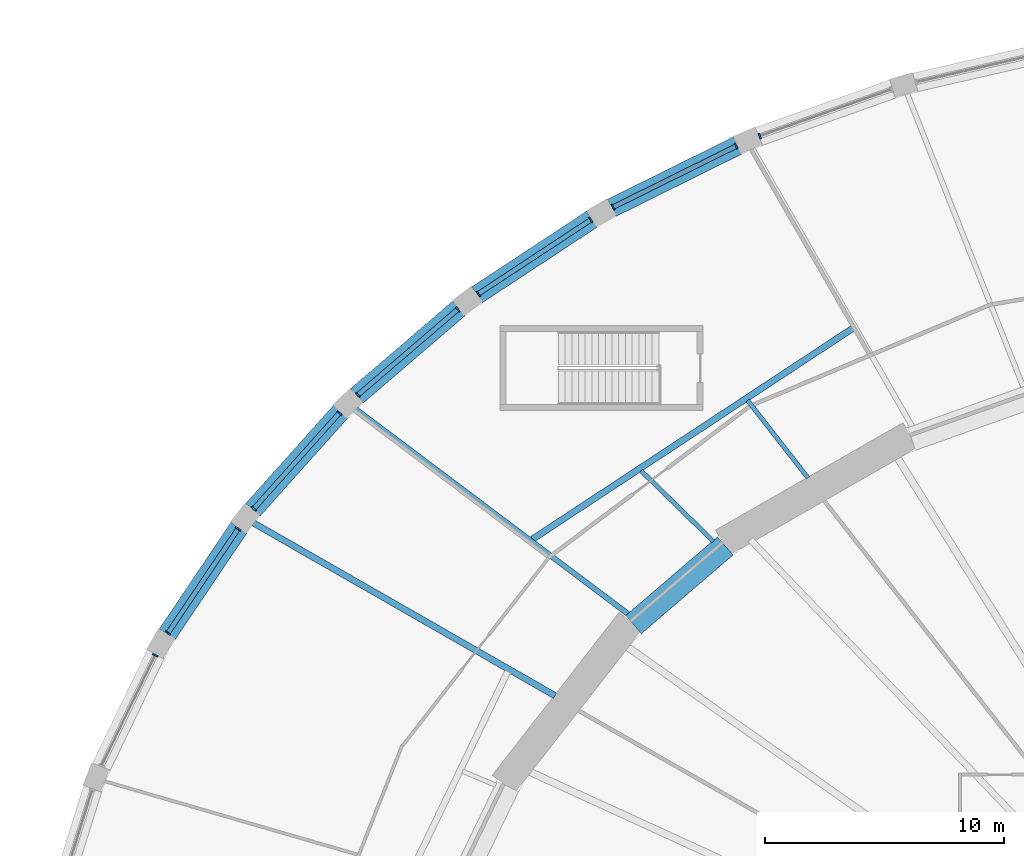
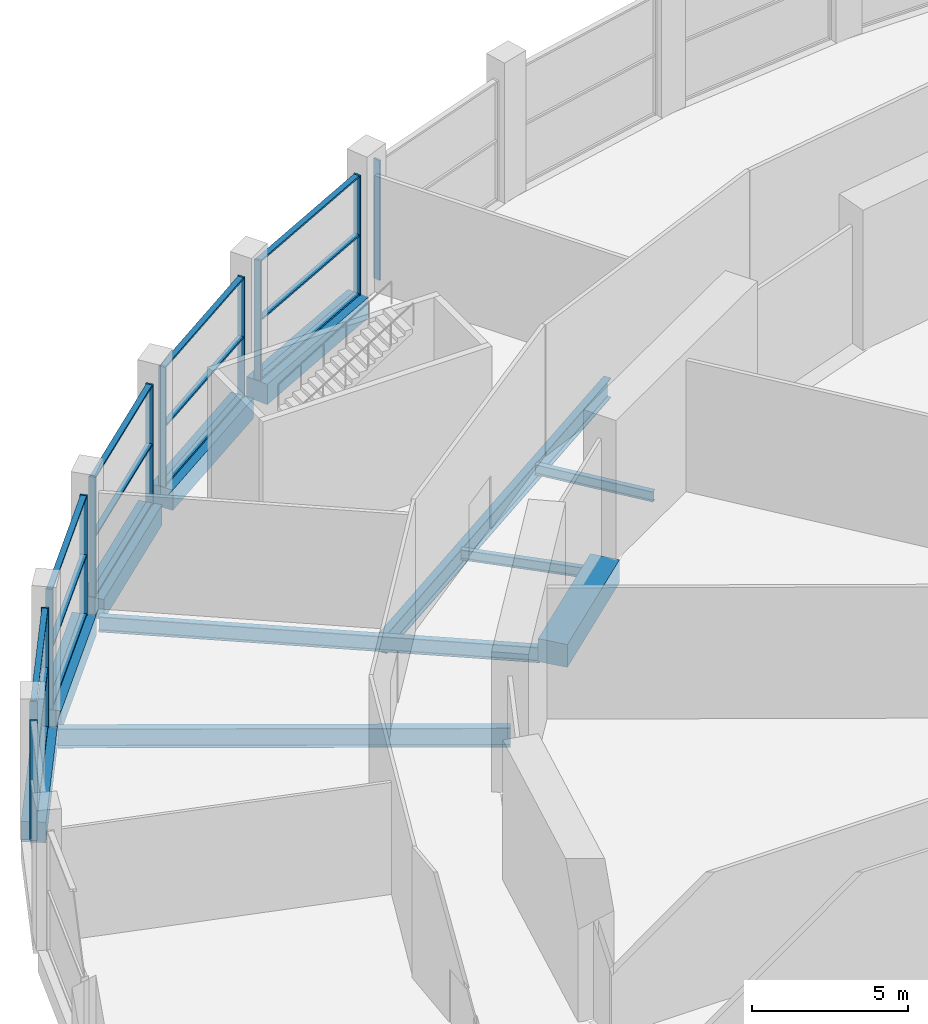
# One storey, part 13 of 29: 27 members, 11 beams, 7 elements without a shape of their own.
"""IFC4 building model written with IfcOpenShell, lengths in metres."""

from ifc_helpers import new_model, si_unit, direction, frame, origin, origin_2d, place, context, subcontext, project, spatial, rectangle, i_section, extrude, material, material_profile, profile_set, type_object, element, aggregate, save


model = new_model("IFC4")

# Units and contexts
model_context = context("Model", 3, precision=1e-05, world=origin(), true_north=direction((0.0, 1.0)))
body_context = subcontext(model_context, "Body", "Model", "MODEL_VIEW")
ifc_project = project(units=[si_unit("LENGTHUNIT", "METRE"), si_unit("AREAUNIT", "SQUARE_METRE"), si_unit("VOLUMEUNIT", "CUBIC_METRE"), si_unit("PLANEANGLEUNIT", "RADIAN"), si_unit("MASSUNIT", "GRAM", prefix="KILO")], contexts=[model_context])

# Site, building, storey
site_placement = place(None, origin())
site = spatial("IfcSite", under=ifc_project, at=site_placement, CompositionType="ELEMENT")
building_placement = place(site_placement, origin())
building = spatial("IfcBuilding", under=site, at=building_placement, Name="Halqa Exchange Tower", CompositionType="ELEMENT")
storey_placement = place(building_placement, frame((0.0, 0.0, 7.0)))
storey = spatial("IfcBuildingStorey", under=building, at=storey_placement, Name="L01", CompositionType="ELEMENT", Elevation=7.0)

# Curtain wall, member
ifc_material_1 = material(Name="Anodised aluminium and clear glass", Category="aluminium")
curtain_wall_type = type_object("IfcCurtainWallType", Name="Exchange hall glazing", PredefinedType="NOTDEFINED", material=ifc_material_1)
curtain_wall_1_placement = place(storey_placement, origin())
curtain_wall_1 = element("IfcCurtainWall", 1, at=curtain_wall_1_placement, inside=storey, type_object=curtain_wall_type, Name="Exchange hall glazing run P15", PredefinedType="NOTDEFINED")
ifc_material_2 = material(Name="Anodised aluminium", Category="aluminium")
ifc_material_profile_1 = material_profile(ifc_material_2, rectangle(XDim=0.25, YDim=0.070068359375, at=origin_2d()), Name="AL 70x250")
ifc_profile_set_1 = profile_set([ifc_material_profile_1], Name="Anodised aluminium")
member_type_1 = type_object("IfcMemberType", Name="Exchange hall glazing mullion 70 x 250", PredefinedType="MULLION", material=ifc_profile_set_1)
member_1_placement = place(storey_placement, frame((-23.37939453125, 41.7041015625, 0.0), z_axis=(0.0, 0.0, 1.0), x_axis=(0.334688348326, -0.942328875444, 0.0)))
member_1 = element("IfcMember", 2, at=member_1_placement, type_object=member_type_1, Name="P15 mullion 2", PredefinedType="MULLION", context=body_context, shape_type="SweptSolid", body=[
    extrude(rectangle(XDim=0.25, YDim=0.070068359375, at=origin_2d()), origin(), (0.0, 0.0, 1.0), 4.699951171875),
])
aggregate(curtain_wall_1, [member_1])

# Curtain wall, members
curtain_wall_2_placement = place(storey_placement, origin())
curtain_wall_2 = element("IfcCurtainWall", 3, at=curtain_wall_2_placement, inside=storey, type_object=curtain_wall_type, Name="Exchange hall glazing run P16", PredefinedType="NOTDEFINED")
member_2_placement = place(storey_placement, frame((-24.363037109375, 41.287841796875, 0.0), z_axis=(0.0, 0.0, 1.0), x_axis=(0.443653417058, -0.896198440934, 0.0)))
member_2 = element("IfcMember", 4, at=member_2_placement, type_object=member_type_1, Name="P16 mullion 1", PredefinedType="MULLION", context=body_context, shape_type="SweptSolid", body=[
    extrude(rectangle(XDim=0.25, YDim=0.070068359375, at=origin_2d()), origin(), (0.0, 0.0, 1.0), 4.699951171875),
])
member_3_placement = place(storey_placement, frame((-29.521240234375, 38.734375, 0.0), z_axis=(0.0, 0.0, 1.0), x_axis=(0.443653417058, -0.896198440934, 0.0)))
member_3 = element("IfcMember", 5, at=member_3_placement, type_object=member_type_1, Name="P16 mullion 2", PredefinedType="MULLION", context=body_context, shape_type="SweptSolid", body=[
    extrude(rectangle(XDim=0.25, YDim=0.070068359375, at=origin_2d()), origin(), (0.0, 0.0, 1.0), 4.699951171875),
])

curtain_wall_3_placement = place(storey_placement, origin())
curtain_wall_3 = element("IfcCurtainWall", 6, at=curtain_wall_3_placement, inside=storey, type_object=curtain_wall_type, Name="Exchange hall glazing run P17", PredefinedType="NOTDEFINED")
member_4_placement = place(storey_placement, frame((-30.44775390625, 38.202880859375, 0.0), z_axis=(0.0, 0.0, 1.0), x_axis=(0.549620040919, -0.835414753652, 0.0)))
member_4 = element("IfcMember", 7, at=member_4_placement, type_object=member_type_1, Name="P17 mullion 1", PredefinedType="MULLION", context=body_context, shape_type="SweptSolid", body=[
    extrude(rectangle(XDim=0.25, YDim=0.070068359375, at=origin_2d()), origin(), (0.0, 0.0, 1.0), 4.699951171875),
])
member_5_placement = place(storey_placement, frame((-35.15771484375, 35.104248046875, 0.0), z_axis=(0.0, 0.0, 1.0), x_axis=(0.549620040919, -0.835414753652, 0.0)))
member_5 = element("IfcMember", 8, at=member_5_placement, type_object=member_type_1, Name="P17 mullion 2", PredefinedType="MULLION", context=body_context, shape_type="SweptSolid", body=[
    extrude(rectangle(XDim=0.25, YDim=0.070068359375, at=origin_2d()), origin(), (0.0, 0.0, 1.0), 4.699951171875),
])

curtain_wall_4_placement = place(storey_placement, origin())
curtain_wall_4 = element("IfcCurtainWall", 9, at=curtain_wall_4_placement, inside=storey, type_object=curtain_wall_type, Name="Exchange hall glazing run P18", PredefinedType="NOTDEFINED")
member_6_placement = place(storey_placement, frame((-36.010986328125, 34.4619140625, 0.0), z_axis=(0.0, 0.0, 1.0), x_axis=(0.650910929175, -0.759154109704, 0.0)))
member_6 = element("IfcMember", 10, at=member_6_placement, type_object=member_type_1, Name="P18 mullion 1", PredefinedType="MULLION", context=body_context, shape_type="SweptSolid", body=[
    extrude(rectangle(XDim=0.25, YDim=0.070068359375, at=origin_2d()), origin(), (0.0, 0.0, 1.0), 4.699951171875),
])
member_7_placement = place(storey_placement, frame((-40.193115234375, 30.8759765625, 0.0), z_axis=(0.0, 0.0, 1.0), x_axis=(0.650910929175, -0.759154109704, 0.0)))
member_7 = element("IfcMember", 11, at=member_7_placement, type_object=member_type_1, Name="P18 mullion 2", PredefinedType="MULLION", context=body_context, shape_type="SweptSolid", body=[
    extrude(rectangle(XDim=0.25, YDim=0.070068359375, at=origin_2d()), origin(), (0.0, 0.0, 1.0), 4.699951171875),
])

curtain_wall_5_placement = place(storey_placement, origin())
curtain_wall_5 = element("IfcCurtainWall", 12, at=curtain_wall_5_placement, inside=storey, type_object=curtain_wall_type, Name="Exchange hall glazing run P19", PredefinedType="NOTDEFINED")
member_8_placement = place(storey_placement, frame((-40.9560546875, 30.12890625, 0.0), z_axis=(0.0, 0.0, 1.0), x_axis=(0.74514769466, -0.666899477539, 0.0)))
member_8 = element("IfcMember", 13, at=member_8_placement, type_object=member_type_1, Name="P19 mullion 1", PredefinedType="MULLION", context=body_context, shape_type="SweptSolid", body=[
    extrude(rectangle(XDim=0.25, YDim=0.070068359375, at=origin_2d()), origin(), (0.0, 0.0, 1.0), 4.699951171875),
])
member_9_placement = place(storey_placement, frame((-44.542724609375, 26.12158203125, 0.0), z_axis=(0.0, 0.0, 1.0), x_axis=(0.74514769466, -0.666899477539, 0.0)))
member_9 = element("IfcMember", 14, at=member_9_placement, type_object=member_type_1, Name="P19 mullion 2", PredefinedType="MULLION", context=body_context, shape_type="SweptSolid", body=[
    extrude(rectangle(XDim=0.25, YDim=0.070068359375, at=origin_2d()), origin(), (0.0, 0.0, 1.0), 4.699951171875),
])

curtain_wall_6_placement = place(storey_placement, origin())
curtain_wall_6 = element("IfcCurtainWall", 15, at=curtain_wall_6_placement, inside=storey, type_object=curtain_wall_type, Name="Exchange hall glazing run P20", PredefinedType="NOTDEFINED")
member_10_placement = place(storey_placement, frame((-45.1982421875, 25.279052734375, 0.0), z_axis=(0.0, 0.0, 1.0), x_axis=(0.8294895023, -0.55852230535, 0.0)))
member_10 = element("IfcMember", 16, at=member_10_placement, type_object=member_type_1, Name="P20 mullion 1", PredefinedType="MULLION", context=body_context, shape_type="SweptSolid", body=[
    extrude(rectangle(XDim=0.25, YDim=0.070068359375, at=origin_2d()), origin(), (0.0, 0.0, 1.0), 4.699951171875),
])
member_11_placement = place(storey_placement, frame((-48.13232421875, 20.921630859375, 0.0), z_axis=(0.0, 0.0, 1.0), x_axis=(0.8294895023, -0.55852230535, 0.0)))
member_11 = element("IfcMember", 17, at=member_11_placement, type_object=member_type_1, Name="P20 mullion 2", PredefinedType="MULLION", context=body_context, shape_type="SweptSolid", body=[
    extrude(rectangle(XDim=0.25, YDim=0.070068359375, at=origin_2d()), origin(), (0.0, 0.0, 1.0), 4.699951171875),
])

# Curtain wall, member
curtain_wall_7_placement = place(storey_placement, origin())
curtain_wall_7 = element("IfcCurtainWall", 18, at=curtain_wall_7_placement, inside=storey, type_object=curtain_wall_type, Name="Exchange hall glazing run P21", PredefinedType="NOTDEFINED")
member_12_placement = place(storey_placement, frame((-48.663818359375, 19.996337890625, 0.0), z_axis=(0.0, 0.0, 1.0), x_axis=(0.90043534892, -0.434989864727, 0.0)))
member_12 = element("IfcMember", 19, at=member_12_placement, type_object=member_type_1, Name="P21 mullion 1", PredefinedType="MULLION", context=body_context, shape_type="SweptSolid", body=[
    extrude(rectangle(XDim=0.25, YDim=0.070068359375, at=origin_2d()), origin(), (0.0, 0.0, 1.0), 4.699951171875),
])
aggregate(curtain_wall_7, [member_12])

# Member
ifc_material_profile_2 = material_profile(ifc_material_2, rectangle(XDim=0.199951171875, YDim=0.070068359375, at=origin_2d()), Name="AL 70x200")
ifc_profile_set_2 = profile_set([ifc_material_profile_2], Name="Anodised aluminium")
member_type_2 = type_object("IfcMemberType", Name="Exchange hall glazing transom 70 x 200", PredefinedType="USERDEFINED", material=ifc_profile_set_2)
member_13_placement = place(storey_placement, frame((-24.39453125, 41.2724609375, 0.034912109375), z_axis=(-0.89618076134, -0.443689128788, 0.0), x_axis=(0.443689128788, -0.89618076134, 0.0)))
member_13 = element("IfcMember", 20, at=member_13_placement, type_object=member_type_2, Name="P16 transom 1.1", ObjectType="TRANSOM", PredefinedType="USERDEFINED", context=body_context, shape_type="SweptSolid", body=[
    extrude(rectangle(XDim=0.199951171875, YDim=0.070068359375, at=origin_2d()), origin(), (0.0, 0.0, 1.0), 5.685791015625),
])

member_14_placement = place(storey_placement, frame((-24.39453125, 41.2724609375, 2.35009765625), z_axis=(-0.89618076134, -0.443689128788, 0.0), x_axis=(0.443689128788, -0.89618076134, 0.0)))
member_14 = element("IfcMember", 21, at=member_14_placement, type_object=member_type_2, Name="P16 transom 1.2", ObjectType="TRANSOM", PredefinedType="USERDEFINED", context=body_context, shape_type="SweptSolid", body=[
    extrude(rectangle(XDim=0.199951171875, YDim=0.070068359375, at=origin_2d()), origin(), (0.0, 0.0, 1.0), 5.685791015625),
])

member_15_placement = place(storey_placement, frame((-24.39453125, 41.2724609375, 4.6650390625), z_axis=(-0.89618076134, -0.443689128788, 0.0), x_axis=(0.443689128788, -0.89618076134, 0.0)))
member_15 = element("IfcMember", 22, at=member_15_placement, type_object=member_type_2, Name="P16 transom 1.3", ObjectType="TRANSOM", PredefinedType="USERDEFINED", context=body_context, shape_type="SweptSolid", body=[
    extrude(rectangle(XDim=0.199951171875, YDim=0.070068359375, at=origin_2d()), origin(), (0.0, 0.0, 1.0), 5.685791015625),
])

aggregate(curtain_wall_2, [member_2, member_3, member_13, member_14, member_15])

member_16_placement = place(storey_placement, frame((-30.47705078125, 38.183837890625, 0.034912109375), z_axis=(-0.835401187087, -0.549640661355, 0.0), x_axis=(0.549640661355, -0.835401187087, 0.0)))
member_16 = element("IfcMember", 23, at=member_16_placement, type_object=member_type_2, Name="P17 transom 1.1", ObjectType="TRANSOM", PredefinedType="USERDEFINED", context=body_context, shape_type="SweptSolid", body=[
    extrude(rectangle(XDim=0.199951171875, YDim=0.070068359375, at=origin_2d()), origin(), (0.0, 0.0, 1.0), 5.56787109375),
])

member_17_placement = place(storey_placement, frame((-30.47705078125, 38.183837890625, 2.35009765625), z_axis=(-0.835401187087, -0.549640661355, 0.0), x_axis=(0.549640661355, -0.835401187087, 0.0)))
member_17 = element("IfcMember", 24, at=member_17_placement, type_object=member_type_2, Name="P17 transom 1.2", ObjectType="TRANSOM", PredefinedType="USERDEFINED", context=body_context, shape_type="SweptSolid", body=[
    extrude(rectangle(XDim=0.199951171875, YDim=0.070068359375, at=origin_2d()), origin(), (0.0, 0.0, 1.0), 5.56787109375),
])

member_18_placement = place(storey_placement, frame((-30.47705078125, 38.183837890625, 4.6650390625), z_axis=(-0.835401187087, -0.549640661355, 0.0), x_axis=(0.549640661355, -0.835401187087, 0.0)))
member_18 = element("IfcMember", 25, at=member_18_placement, type_object=member_type_2, Name="P17 transom 1.3", ObjectType="TRANSOM", PredefinedType="USERDEFINED", context=body_context, shape_type="SweptSolid", body=[
    extrude(rectangle(XDim=0.199951171875, YDim=0.070068359375, at=origin_2d()), origin(), (0.0, 0.0, 1.0), 5.56787109375),
])

aggregate(curtain_wall_3, [member_4, member_5, member_16, member_17, member_18])

member_19_placement = place(storey_placement, frame((-36.037353515625, 34.439208984375, 0.034912109375), z_axis=(-0.759142529619, -0.650924434727, 0.0), x_axis=(0.650924434727, -0.759142529619, 0.0)))
member_19 = element("IfcMember", 26, at=member_19_placement, type_object=member_type_2, Name="P18 transom 1.1", ObjectType="TRANSOM", PredefinedType="USERDEFINED", context=body_context, shape_type="SweptSolid", body=[
    extrude(rectangle(XDim=0.199951171875, YDim=0.070068359375, at=origin_2d()), origin(), (0.0, 0.0, 1.0), 5.439208984375),
])

member_20_placement = place(storey_placement, frame((-36.037353515625, 34.439208984375, 2.35009765625), z_axis=(-0.759142529619, -0.650924434727, 0.0), x_axis=(0.650924434727, -0.759142529619, 0.0)))
member_20 = element("IfcMember", 27, at=member_20_placement, type_object=member_type_2, Name="P18 transom 1.2", ObjectType="TRANSOM", PredefinedType="USERDEFINED", context=body_context, shape_type="SweptSolid", body=[
    extrude(rectangle(XDim=0.199951171875, YDim=0.070068359375, at=origin_2d()), origin(), (0.0, 0.0, 1.0), 5.439208984375),
])

member_21_placement = place(storey_placement, frame((-36.037353515625, 34.439208984375, 4.6650390625), z_axis=(-0.759142529619, -0.650924434727, 0.0), x_axis=(0.650924434727, -0.759142529619, 0.0)))
member_21 = element("IfcMember", 28, at=member_21_placement, type_object=member_type_2, Name="P18 transom 1.3", ObjectType="TRANSOM", PredefinedType="USERDEFINED", context=body_context, shape_type="SweptSolid", body=[
    extrude(rectangle(XDim=0.199951171875, YDim=0.070068359375, at=origin_2d()), origin(), (0.0, 0.0, 1.0), 5.439208984375),
])

aggregate(curtain_wall_4, [member_6, member_7, member_19, member_20, member_21])

member_22_placement = place(storey_placement, frame((-40.9794921875, 30.10302734375, 0.034912109375), z_axis=(-0.666880900978, -0.745164320074, 0.0), x_axis=(0.745164320074, -0.666880900978, 0.0)))
member_22 = element("IfcMember", 29, at=member_22_placement, type_object=member_type_2, Name="P19 transom 1.1", ObjectType="TRANSOM", PredefinedType="USERDEFINED", context=body_context, shape_type="SweptSolid", body=[
    extrude(rectangle(XDim=0.199951171875, YDim=0.070068359375, at=origin_2d()), origin(), (0.0, 0.0, 1.0), 5.30810546875),
])

member_23_placement = place(storey_placement, frame((-40.9794921875, 30.10302734375, 2.35009765625), z_axis=(-0.666880900978, -0.745164320074, 0.0), x_axis=(0.745164320074, -0.666880900978, 0.0)))
member_23 = element("IfcMember", 30, at=member_23_placement, type_object=member_type_2, Name="P19 transom 1.2", ObjectType="TRANSOM", PredefinedType="USERDEFINED", context=body_context, shape_type="SweptSolid", body=[
    extrude(rectangle(XDim=0.199951171875, YDim=0.070068359375, at=origin_2d()), origin(), (0.0, 0.0, 1.0), 5.30810546875),
])

member_24_placement = place(storey_placement, frame((-40.9794921875, 30.10302734375, 4.6650390625), z_axis=(-0.666880900978, -0.745164320074, 0.0), x_axis=(0.745164320074, -0.666880900978, 0.0)))
member_24 = element("IfcMember", 31, at=member_24_placement, type_object=member_type_2, Name="P19 transom 1.3", ObjectType="TRANSOM", PredefinedType="USERDEFINED", context=body_context, shape_type="SweptSolid", body=[
    extrude(rectangle(XDim=0.199951171875, YDim=0.070068359375, at=origin_2d()), origin(), (0.0, 0.0, 1.0), 5.30810546875),
])

aggregate(curtain_wall_5, [member_8, member_9, member_22, member_23, member_24])

member_25_placement = place(storey_placement, frame((-45.2177734375, 25.250244140625, 0.034912109375), z_axis=(-0.558520359636, -0.82949081241, 0.0), x_axis=(0.82949081241, -0.558520359636, 0.0)))
member_25 = element("IfcMember", 32, at=member_25_placement, type_object=member_type_2, Name="P20 transom 1.1", ObjectType="TRANSOM", PredefinedType="USERDEFINED", context=body_context, shape_type="SweptSolid", body=[
    extrude(rectangle(XDim=0.199951171875, YDim=0.070068359375, at=origin_2d()), origin(), (0.0, 0.0, 1.0), 5.183349609375),
])

member_26_placement = place(storey_placement, frame((-45.2177734375, 25.250244140625, 2.35009765625), z_axis=(-0.558520359636, -0.82949081241, 0.0), x_axis=(0.82949081241, -0.558520359636, 0.0)))
member_26 = element("IfcMember", 33, at=member_26_placement, type_object=member_type_2, Name="P20 transom 1.2", ObjectType="TRANSOM", PredefinedType="USERDEFINED", context=body_context, shape_type="SweptSolid", body=[
    extrude(rectangle(XDim=0.199951171875, YDim=0.070068359375, at=origin_2d()), origin(), (0.0, 0.0, 1.0), 5.183349609375),
])

member_27_placement = place(storey_placement, frame((-45.2177734375, 25.250244140625, 4.6650390625), z_axis=(-0.558520359636, -0.82949081241, 0.0), x_axis=(0.82949081241, -0.558520359636, 0.0)))
member_27 = element("IfcMember", 34, at=member_27_placement, type_object=member_type_2, Name="P20 transom 1.3", ObjectType="TRANSOM", PredefinedType="USERDEFINED", context=body_context, shape_type="SweptSolid", body=[
    extrude(rectangle(XDim=0.199951171875, YDim=0.070068359375, at=origin_2d()), origin(), (0.0, 0.0, 1.0), 5.183349609375),
])

aggregate(curtain_wall_6, [member_10, member_11, member_25, member_26, member_27])

# Beams
ifc_material_3 = material(Name="Steel S355", Category="steel")
ifc_material_profile_3 = material_profile(ifc_material_3, i_section(OverallWidth=0.179931640625, OverallDepth=0.39990234375, WebThickness=0.008544921875, FlangeThickness=0.013427734375, FilletRadius=0.02099609375, at=origin_2d()), Name="IPE 400")
ifc_profile_set_3 = profile_set([ifc_material_profile_3], Name="Steel S355")
beam_type_1 = type_object("IfcBeamType", Name="Floor beam IPE 400", PredefinedType="BEAM", material=ifc_profile_set_3)
beam_1_placement = place(storey_placement, frame((-21.3603515625, 27.40966796875, -0.550048828125), z_axis=(-0.614706293657, 0.788756091919, 0.0), x_axis=(-0.788756091919, -0.614706293657, 0.0)))
element("IfcBeam", 35, at=beam_1_placement, inside=storey, type_object=beam_type_1, Name="Radial beam 17a", PredefinedType="BEAM", context=body_context, shape_type="SweptSolid", body=[
    extrude(i_section(OverallWidth=0.179931640625, OverallDepth=0.39990234375, WebThickness=0.008544921875, FlangeThickness=0.013427734375, FilletRadius=0.02099609375, at=origin_2d()), origin(), (0.0, 0.0, 1.0), 4.104248046875),
])
beam_2_placement = place(storey_placement, frame((-25.322265625, 24.757080078125, -0.550048828125), z_axis=(-0.715007310884, 0.699116975464, 0.0), x_axis=(-0.699116975464, -0.715007310884, 0.0)))
element("IfcBeam", 36, at=beam_2_placement, inside=storey, type_object=beam_type_1, Name="Radial beam 18a", PredefinedType="BEAM", context=body_context, shape_type="SweptSolid", body=[
    extrude(i_section(OverallWidth=0.179931640625, OverallDepth=0.39990234375, WebThickness=0.008544921875, FlangeThickness=0.013427734375, FilletRadius=0.02099609375, at=origin_2d()), origin(), (0.0, 0.0, 1.0), 4.22509765625),
])
ifc_material_profile_4 = material_profile(ifc_material_3, i_section(OverallWidth=0.219970703125, OverallDepth=0.60009765625, WebThickness=0.011962890625, FlangeThickness=0.01904296875, FilletRadius=0.02392578125, at=origin_2d()), Name="IPE 600")
ifc_profile_set_4 = profile_set([ifc_material_profile_4], Name="Steel S355")
beam_type_2 = type_object("IfcBeamType", Name="Floor beam IPE 600", PredefinedType="BEAM", material=ifc_profile_set_4)
beam_3_placement = place(storey_placement, frame((-28.875732421875, 21.71240234375, -0.64990234375), z_axis=(-0.799257291391, 0.600989003359, 0.0), x_axis=(-0.600989003359, -0.799257291391, 0.0)))
element("IfcBeam", 37, at=beam_3_placement, inside=storey, type_object=beam_type_2, Name="Radial beam 19", PredefinedType="BEAM", context=body_context, shape_type="SweptSolid", body=[
    extrude(i_section(OverallWidth=0.219970703125, OverallDepth=0.60009765625, WebThickness=0.011962890625, FlangeThickness=0.01904296875, FilletRadius=0.02392578125, at=origin_2d()), origin(), (0.0, 0.0, 1.0), 14.291259765625),
])
ifc_material_profile_5 = material_profile(ifc_material_3, i_section(OverallWidth=0.264892578125, OverallDepth=0.7529296875, WebThickness=0.01318359375, FlangeThickness=0.01708984375, FilletRadius=0.01708984375, at=origin_2d()), Name="IPE 750x147")
ifc_profile_set_5 = profile_set([ifc_material_profile_5], Name="Steel S355")
beam_type_3 = type_object("IfcBeamType", Name="Floor beam IPE 750x147", PredefinedType="BEAM", material=ifc_profile_set_5)
beam_4_placement = place(storey_placement, frame((-31.942626953125, 18.300048828125, -0.7265625), z_axis=(-0.867691436398, 0.497103179633, 0.0), x_axis=(-0.497103179633, -0.867691436398, 0.0)))
element("IfcBeam", 38, at=beam_4_placement, inside=storey, type_object=beam_type_3, Name="Radial beam 20", PredefinedType="BEAM", context=body_context, shape_type="SweptSolid", body=[
    extrude(i_section(OverallWidth=0.264892578125, OverallDepth=0.7529296875, WebThickness=0.01318359375, FlangeThickness=0.01708984375, FilletRadius=0.01708984375, at=origin_2d()), origin(), (0.0, 0.0, 1.0), 14.555908203125),
])
ifc_material_profile_6 = material_profile(ifc_material_3, i_section(OverallWidth=0.26806640625, OverallDepth=0.77001953125, WebThickness=0.015625, FlangeThickness=0.025390625, FilletRadius=0.01708984375, at=origin_2d()), Name="IPE 750x196")
ifc_profile_set_6 = profile_set([ifc_material_profile_6], Name="Steel S355")
beam_type_4 = type_object("IfcBeamType", Name="Floor beam IPE 750x196", PredefinedType="BEAM", material=ifc_profile_set_6)
beam_5_placement = place(storey_placement, frame((-19.467041015625, 33.682373046875, -0.735107421875), z_axis=(-0.835204203593, -0.54993994063, 0.0), x_axis=(0.54993994063, -0.835204203593, 0.0)))
element("IfcBeam", 39, at=beam_5_placement, inside=storey, type_object=beam_type_4, Name="Radial beam TPS3-in", PredefinedType="BEAM", context=body_context, shape_type="SweptSolid", body=[
    extrude(i_section(OverallWidth=0.26806640625, OverallDepth=0.77001953125, WebThickness=0.015625, FlangeThickness=0.025390625, FilletRadius=0.01708984375, at=origin_2d()), origin(), (0.0, 0.0, 1.0), 16.07958984375),
])
ifc_material_4 = material(Name="Concrete C60/75", Category="concrete")
ifc_material_profile_7 = material_profile(ifc_material_4, rectangle(XDim=0.800048828125, YDim=0.800048828125, at=origin_2d()), Name="800 x 800")
ifc_profile_set_7 = profile_set([ifc_material_profile_7], Name="Concrete C60/75")
beam_type_5 = type_object("IfcBeamType", Name="RC podium edge beam 800 x 800 C60/75", PredefinedType="SPANDREL", material=ifc_profile_set_7)
beam_6_placement = place(storey_placement, frame((-24.30712890625, 41.3154296875, -0.39990234375), z_axis=(-0.896205416004, -0.443639326847, 0.0), x_axis=(0.443639326847, -0.896205416004, 0.0)))
element("IfcBeam", 40, at=beam_6_placement, inside=storey, type_object=beam_type_5, Name="Podium edge beam 16", PredefinedType="SPANDREL", context=body_context, shape_type="SweptSolid", body=[
    extrude(rectangle(XDim=0.800048828125, YDim=0.800048828125, at=origin_2d()), origin(), (0.0, 0.0, 1.0), 5.880126953125),
])
beam_7_placement = place(storey_placement, frame((-30.396240234375, 38.23681640625, -0.39990234375), z_axis=(-0.835418618456, -0.549614166426, 0.0), x_axis=(0.549614166426, -0.835418618456, 0.0)))
element("IfcBeam", 41, at=beam_7_placement, inside=storey, type_object=beam_type_5, Name="Podium edge beam 17", PredefinedType="SPANDREL", context=body_context, shape_type="SweptSolid", body=[
    extrude(rectangle(XDim=0.800048828125, YDim=0.800048828125, at=origin_2d()), origin(), (0.0, 0.0, 1.0), 5.760986328125),
])
beam_8_placement = place(storey_placement, frame((-35.963134765625, 34.502685546875, -0.39990234375), z_axis=(-0.759174010844, -0.650887717859, 0.0), x_axis=(0.650887717859, -0.759174010844, 0.0)))
element("IfcBeam", 42, at=beam_8_placement, inside=storey, type_object=beam_type_5, Name="Podium edge beam 18", PredefinedType="SPANDREL", context=body_context, shape_type="SweptSolid", body=[
    extrude(rectangle(XDim=0.800048828125, YDim=0.800048828125, at=origin_2d()), origin(), (0.0, 0.0, 1.0), 5.63427734375),
])
beam_9_placement = place(storey_placement, frame((-40.914794921875, 30.175048828125, -0.39990234375), z_axis=(-0.666902525907, -0.745144966392, 0.0), x_axis=(0.745144966392, -0.666902525907, 0.0)))
element("IfcBeam", 43, at=beam_9_placement, inside=storey, type_object=beam_type_5, Name="Podium edge beam 19", PredefinedType="SPANDREL", context=body_context, shape_type="SweptSolid", body=[
    extrude(rectangle(XDim=0.800048828125, YDim=0.800048828125, at=origin_2d()), origin(), (0.0, 0.0, 1.0), 5.501220703125),
])
beam_10_placement = place(storey_placement, frame((-45.1630859375, 25.331298828125, -0.39990234375), z_axis=(-0.558528358221, -0.829485426673, 0.0), x_axis=(0.829485426673, -0.558528358221, 0.0)))
element("IfcBeam", 44, at=beam_10_placement, inside=storey, type_object=beam_type_5, Name="Podium edge beam 20", PredefinedType="SPANDREL", context=body_context, shape_type="SweptSolid", body=[
    extrude(rectangle(XDim=0.800048828125, YDim=0.800048828125, at=origin_2d()), origin(), (0.0, 0.0, 1.0), 5.378173828125),
])
ifc_material_profile_8 = material_profile(ifc_material_4, rectangle(XDim=1.0, YDim=0.89990234375, at=origin_2d()), Name="1000 x 900")
ifc_profile_set_8 = profile_set([ifc_material_profile_8], Name="Concrete C60/75")
beam_type_6 = type_object("IfcBeamType", Name="RC spandrel beam 1000 x 900 C60/75", PredefinedType="SPANDREL", material=ifc_profile_set_8)
beam_11_placement = place(storey_placement, frame((-24.81982421875, 24.56689453125, -0.449951171875), z_axis=(-0.759263417999, -0.650783421799, 0.0), x_axis=(0.650783421799, -0.759263417999, 0.0)))
element("IfcBeam", 45, at=beam_11_placement, inside=storey, type_object=beam_type_6, Name="Spandrel 12", PredefinedType="SPANDREL", context=body_context, shape_type="SweptSolid", body=[
    extrude(rectangle(XDim=1.0, YDim=0.89990234375, at=origin_2d()), origin(), (0.0, 0.0, 1.0), 5.056884765625),
])

save(model, "model.ifc")
